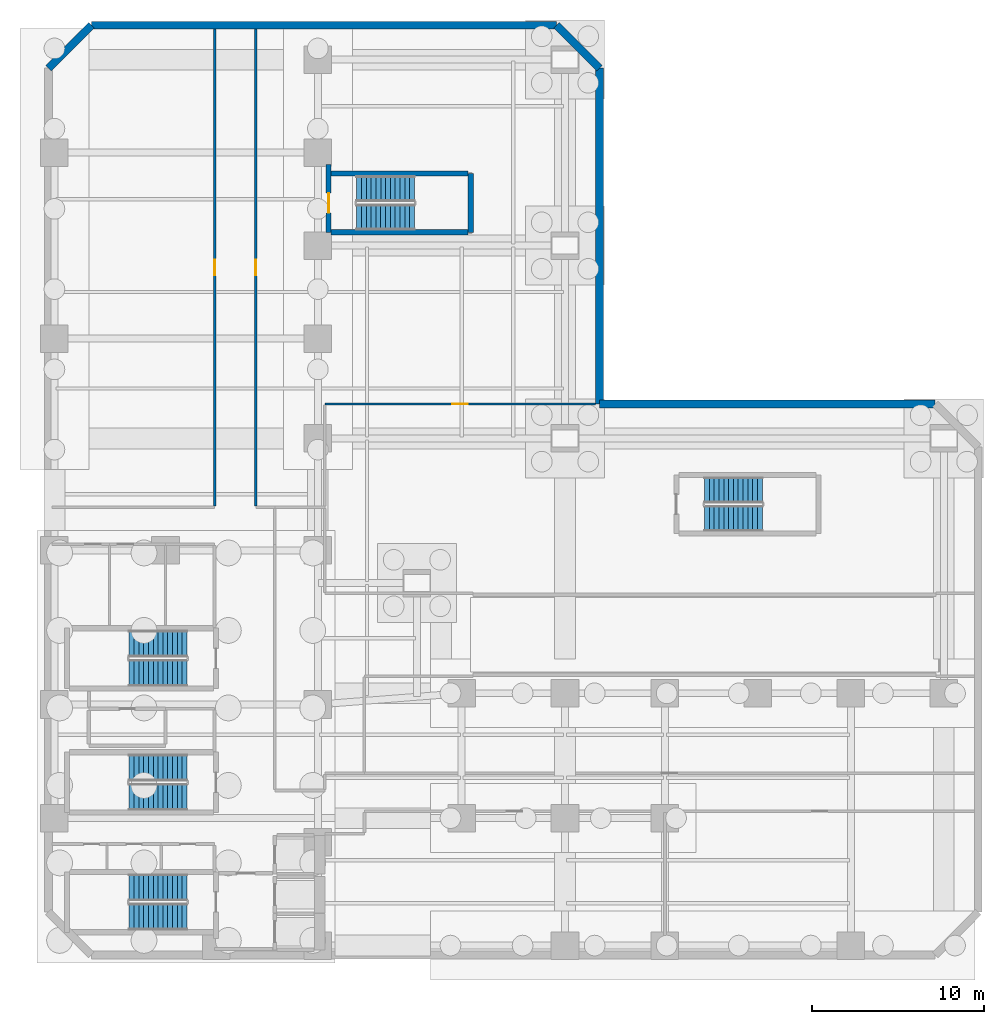
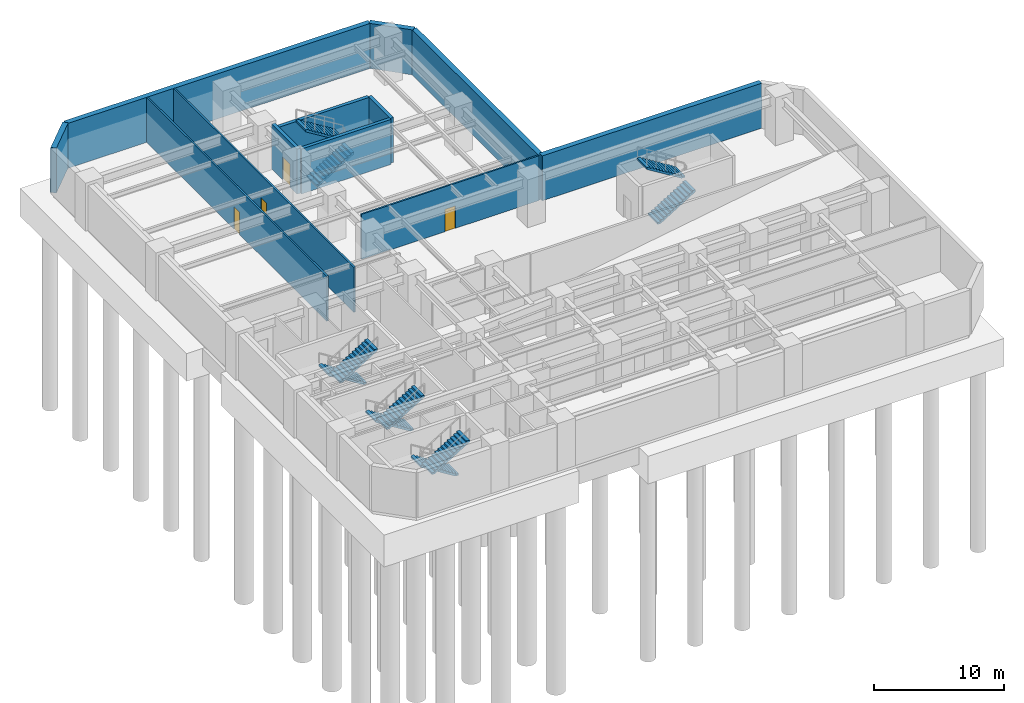
# One storey, part 5 of 10: 12 walls, 10 stair flights, 4 doors, 4 openings, 5 elements without a shape of their own.
"""IFC4 building model written with IfcOpenShell, lengths in metres."""

from ifc_helpers import new_model, si_unit, direction, frame, frame_2d, origin, place, context, subcontext, project, spatial, polyline, rectangle, outline, extrude, material, layer, layer_set, type_object, element, fill, aggregate, save


model = new_model("IFC4")

# Units and contexts
model_context = context("Model", 3, precision=1e-05, world=origin(), true_north=direction((0.0, 1.0)))
body_context = subcontext(model_context, "Body", "Model", "MODEL_VIEW")
ifc_project = project(units=[si_unit("LENGTHUNIT", "METRE"), si_unit("AREAUNIT", "SQUARE_METRE"), si_unit("VOLUMEUNIT", "CUBIC_METRE"), si_unit("PLANEANGLEUNIT", "RADIAN"), si_unit("MASSUNIT", "GRAM", prefix="KILO")], contexts=[model_context])

# Site, building, storey
site_placement = place(None, origin())
site = spatial("IfcSite", under=ifc_project, at=site_placement, CompositionType="ELEMENT")
building_placement = place(site_placement, origin())
building = spatial("IfcBuilding", under=site, at=building_placement, Name="Mawjaban Terraces University", CompositionType="ELEMENT")
storey_placement = place(building_placement, frame((0.0, 0.0, -9.0)))
storey = spatial("IfcBuildingStorey", under=building, at=storey_placement, Name="B2", CompositionType="ELEMENT", Elevation=-9.0)

# Walls
ifc_material_1 = material(Name="Concrete C50/60", Category="concrete")
ifc_layer_1 = layer(ifc_material_1, 0.449951171875)
ifc_layer_set_1 = layer_set([ifc_layer_1], Name="Concrete C50/60")
wall_type_1 = type_object("IfcWallType", Name="BsmtRetainingWall_450", PredefinedType="USERDEFINED", material=ifc_layer_set_1)
for number, where, z_axis, x_axis, name in (
    (1, (73.5, 32.0, 0.0), (0.0, 0.0, 1.0), (-1.0, 0.0, 0.0), "B2 Perimeter Retaining Wall 5"),
    (2, (54.0, 32.0, 0.0), (0.0, 0.0, 1.0), (0.0, 1.0, 0.0), "B2 Perimeter Retaining Wall 6"),
):
    element("IfcWall", number, at=place(storey_placement, frame(where, z_axis=z_axis, x_axis=x_axis)), inside=storey, type_object=wall_type_1, Name=name, ObjectType="RETAININGWALL", PredefinedType="USERDEFINED", context=body_context, shape_type="SweptSolid", body=[
        extrude(rectangle(XDim=19.5, YDim=0.449951171875, at=frame_2d((9.75, 0.0))), origin(), (0.0, 0.0, 1.0), 4.219970703125),
    ])
wall_1_placement = place(storey_placement, frame((54.0, 51.5, 0.0), z_axis=(0.0, 0.0, 1.0), x_axis=(-0.707106781187, 0.707106781187, 0.0)))
element("IfcWall", 3, at=wall_1_placement, inside=storey, type_object=wall_type_1, Name="B2 Perimeter Retaining Wall 7", ObjectType="RETAININGWALL", PredefinedType="USERDEFINED", context=body_context, shape_type="SweptSolid", body=[
    extrude(rectangle(XDim=3.53564453125, YDim=0.449951171875, at=frame_2d((1.767822265625, 0.0))), origin(), (0.0, 0.0, 1.0), 4.219970703125),
])
wall_2_placement = place(storey_placement, frame((51.5, 54.0, 0.0), z_axis=(0.0, 0.0, 1.0), x_axis=(-1.0, 0.0, 0.0)))
element("IfcWall", 4, at=wall_2_placement, inside=storey, type_object=wall_type_1, Name="B2 Perimeter Retaining Wall 8", ObjectType="RETAININGWALL", PredefinedType="USERDEFINED", context=body_context, shape_type="SweptSolid", body=[
    extrude(rectangle(XDim=27.0, YDim=0.449951171875, at=frame_2d((13.5, 0.0))), origin(), (0.0, 0.0, 1.0), 4.219970703125),
])
wall_3_placement = place(storey_placement, frame((24.5, 54.0, 0.0), z_axis=(0.0, 0.0, 1.0), x_axis=(-0.707106781187, -0.707106781187, 0.0)))
element("IfcWall", 5, at=wall_3_placement, inside=storey, type_object=wall_type_1, Name="B2 Perimeter Retaining Wall 9", ObjectType="RETAININGWALL", PredefinedType="USERDEFINED", context=body_context, shape_type="SweptSolid", body=[
    extrude(rectangle(XDim=3.53564453125, YDim=0.449951171875, at=frame_2d((1.767822265625, 0.0))), origin(), (0.0, 0.0, 1.0), 4.219970703125),
])

# Wall, opening, door
ifc_material_2 = material(Name="Moisture-resistant gypsum board on steel stud", Category="steel")
ifc_layer_2 = layer(ifc_material_2, 0.14501953125)
ifc_layer_set_2 = layer_set([ifc_layer_2], Name="Moisture-resistant gypsum board on steel stud")
wall_type_2 = type_object("IfcWallType", Name="LabPartition_145", PredefinedType="PARTITIONING", material=ifc_layer_set_2)
wall_4_placement = place(storey_placement, frame((53.780029296875, 32.0, 0.0), z_axis=(0.0, 0.0, 1.0), x_axis=(-1.0, 0.0, 0.0)))
wall_4 = element("IfcWall", 6, at=wall_4_placement, inside=storey, type_object=wall_type_2, Name="B2 Greywater and Condensate Treatment Plant Partition 21", PredefinedType="PARTITIONING", context=body_context, shape_type="SweptSolid", body=[
    extrude(rectangle(XDim=15.72998046875, YDim=0.14501953125, at=frame_2d((7.864990234375, 0.0))), origin(), (0.0, 0.0, 1.0), 4.219970703125),
])
opening_1_placement = place(wall_4_placement, frame((7.4150390625, 0.0, 0.0)))
opening_1 = element("IfcOpeningElement", 7, at=opening_1_placement, cuts=wall_4, Name="Opening ID-090", PredefinedType="OPENING", context=body_context, shape_type="SweptSolid", body=[
    extrude(rectangle(XDim=0.89990234375, YDim=2.10009765625, at=frame_2d((0.449951171875, 1.050048828125))), frame((0.0, 0.08251953125, 0.0), z_axis=(0.0, -1.0, 0.0), x_axis=(1.0, 0.0, 0.0)), (0.0, 0.0, 1.0), 0.1650390625),
])
ifc_material_3 = material(Name="Powder-coated steel frame and solid acoustic timber leaf", Category="steel")
door_type_1 = type_object("IfcDoorType", Name="OfficeDoor_900x2100", OperationType="NOTDEFINED", PredefinedType="DOOR", material=ifc_material_3)
door_1_placement = place(opening_1_placement, origin())
door_1 = element("IfcDoor", 8, at=door_1_placement, inside=storey, type_object=door_type_1, Name="B2 Greywater and Condensate Treatment Plant Door", OperationType="SINGLE_SWING_LEFT", OverallHeight=2.10009765625, OverallWidth=0.89990234375, PredefinedType="DOOR", context=body_context, shape_type="SweptSolid", body=[
    extrude(rectangle(XDim=0.89990234375, YDim=2.10009765625, at=frame_2d((0.449951171875, 1.050048828125))), frame((0.0, 0.02490234375, 0.0), z_axis=(0.0, -1.0, 0.0), x_axis=(1.0, 0.0, 0.0)), (0.0, 0.0, 1.0), 0.050048828125),
])
fill(opening_1, door_1)

wall_5_placement = place(storey_placement, frame((31.64990234375, 53.780029296875, 0.0), z_axis=(0.0, 0.0, 1.0), x_axis=(0.0, -1.0, 0.0)))
wall_5 = element("IfcWall", 9, at=wall_5_placement, inside=storey, type_object=wall_type_2, Name="B2 Basement Plant Corridor North Partition 36", PredefinedType="PARTITIONING", context=body_context, shape_type="SweptSolid", body=[
    extrude(rectangle(XDim=27.705078125, YDim=0.14501953125, at=frame_2d((13.8525390625, 0.0))), origin(), (0.0, 0.0, 1.0), 4.219970703125),
])
opening_2_placement = place(wall_5_placement, frame((13.403076171875, 0.0, 0.0)))
opening_2 = element("IfcOpeningElement", 10, at=opening_2_placement, cuts=wall_5, Name="Opening ID-090", PredefinedType="OPENING", context=body_context, shape_type="SweptSolid", body=[
    extrude(rectangle(XDim=0.89990234375, YDim=2.10009765625, at=frame_2d((0.449951171875, 1.050048828125))), frame((0.0, 0.08251953125, 0.0), z_axis=(0.0, -1.0, 0.0), x_axis=(1.0, 0.0, 0.0)), (0.0, 0.0, 1.0), 0.1650390625),
])
door_2_placement = place(opening_2_placement, origin())
door_2 = element("IfcDoor", 11, at=door_2_placement, inside=storey, type_object=door_type_1, Name="B2 University Central Archive Vault 1 Door", OperationType="SINGLE_SWING_LEFT", OverallHeight=2.10009765625, OverallWidth=0.89990234375, PredefinedType="DOOR", context=body_context, shape_type="SweptSolid", body=[
    extrude(rectangle(XDim=0.89990234375, YDim=2.10009765625, at=frame_2d((0.449951171875, 1.050048828125))), frame((0.0, 0.02490234375, 0.0), z_axis=(0.0, -1.0, 0.0), x_axis=(1.0, 0.0, 0.0)), (0.0, 0.0, 1.0), 0.050048828125),
])
fill(opening_2, door_2)

wall_6_placement = place(storey_placement, frame((34.050048828125, 26.074951171875, 0.0), z_axis=(0.0, 0.0, 1.0), x_axis=(0.0, 1.0, 0.0)))
wall_6 = element("IfcWall", 12, at=wall_6_placement, inside=storey, type_object=wall_type_2, Name="B2 Basement Plant Corridor North Partition 37", PredefinedType="PARTITIONING", context=body_context, shape_type="SweptSolid", body=[
    extrude(rectangle(XDim=27.705078125, YDim=0.14501953125, at=frame_2d((13.8525390625, 0.0))), origin(), (0.0, 0.0, 1.0), 4.219970703125),
])
opening_3_placement = place(wall_6_placement, frame((13.403076171875, 0.0, 0.0)))
opening_3 = element("IfcOpeningElement", 13, at=opening_3_placement, cuts=wall_6, Name="Opening ID-090", PredefinedType="OPENING", context=body_context, shape_type="SweptSolid", body=[
    extrude(rectangle(XDim=0.89990234375, YDim=2.10009765625, at=frame_2d((0.449951171875, 1.050048828125))), frame((0.0, 0.08251953125, 0.0), z_axis=(0.0, -1.0, 0.0), x_axis=(1.0, 0.0, 0.0)), (0.0, 0.0, 1.0), 0.1650390625),
])
door_3_placement = place(opening_3_placement, origin())
door_3 = element("IfcDoor", 14, at=door_3_placement, inside=storey, type_object=door_type_1, Name="B2 University Central Archive Vault 2 Door", OperationType="SINGLE_SWING_RIGHT", OverallHeight=2.10009765625, OverallWidth=0.89990234375, PredefinedType="DOOR", context=body_context, shape_type="SweptSolid", body=[
    extrude(rectangle(XDim=0.89990234375, YDim=2.10009765625, at=frame_2d((0.449951171875, 1.050048828125))), frame((0.0, 0.02490234375, 0.0), z_axis=(0.0, -1.0, 0.0), x_axis=(1.0, 0.0, 0.0)), (0.0, 0.0, 1.0), 0.050048828125),
])
fill(opening_3, door_3)

# Walls
ifc_material_4 = material(Name="Concrete C60/75", Category="concrete")
ifc_layer_3 = layer(ifc_material_4, 0.300048828125)
ifc_layer_set_3 = layer_set([ifc_layer_3], Name="Concrete C60/75")
wall_type_3 = type_object("IfcWallType", Name="StairShaftWall_300", PredefinedType="SHEAR", material=ifc_layer_set_3)
wall_7_placement = place(storey_placement, frame((38.419921875, 41.969970703125, 0.0), z_axis=(0.0, 0.0, 1.0), x_axis=(1.0, 0.0, 0.0)))
element("IfcWall", 15, at=wall_7_placement, inside=storey, type_object=wall_type_3, Name="B2 ST-4 Stair Shaft Wall 1", PredefinedType="SHEAR", context=body_context, shape_type="SweptSolid", body=[
    extrude(rectangle(XDim=7.9599609375, YDim=0.300048828125, at=frame_2d((3.97998046875, 0.0))), origin(), (0.0, 0.0, 1.0), 4.219970703125),
])
wall_8_placement = place(storey_placement, frame((46.530029296875, 41.969970703125, 0.0), z_axis=(0.0, 0.0, 1.0), x_axis=(0.0, 1.0, 0.0)))
element("IfcWall", 16, at=wall_8_placement, inside=storey, type_object=wall_type_3, Name="B2 ST-4 Stair Shaft Wall 2", PredefinedType="SHEAR", context=body_context, shape_type="SweptSolid", body=[
    extrude(rectangle(XDim=3.409912109375, YDim=0.300048828125, at=frame_2d((1.705078125, 0.0))), origin(), (0.0, 0.0, 1.0), 4.219970703125),
])
wall_9_placement = place(storey_placement, frame((46.3798828125, 45.3798828125, 0.0), z_axis=(0.0, 0.0, 1.0), x_axis=(-1.0, 0.0, 0.0)))
element("IfcWall", 17, at=wall_9_placement, inside=storey, type_object=wall_type_3, Name="B2 ST-4 Stair Shaft Wall 3", PredefinedType="SHEAR", context=body_context, shape_type="SweptSolid", body=[
    extrude(rectangle(XDim=7.9599609375, YDim=0.300048828125, at=frame_2d((3.97998046875, 0.0))), origin(), (0.0, 0.0, 1.0), 4.219970703125),
])

# Wall, opening, door
wall_10_placement = place(storey_placement, frame((38.27001953125, 45.919921875, 0.0), z_axis=(0.0, 0.0, 1.0), x_axis=(0.0, -1.0, 0.0)))
wall_10 = element("IfcWall", 18, at=wall_10_placement, inside=storey, type_object=wall_type_3, Name="B2 ST-4 Stair Shaft Wall 4", PredefinedType="SHEAR", context=body_context, shape_type="SweptSolid", body=[
    extrude(rectangle(XDim=3.949951171875, YDim=0.300048828125, at=frame_2d((1.97509765625, 0.0))), origin(), (0.0, 0.0, 1.0), 4.219970703125),
])
opening_4_placement = place(wall_10_placement, frame((1.669921875, 0.0, 0.0)))
opening_4 = element("IfcOpeningElement", 19, at=opening_4_placement, cuts=wall_10, Name="Opening FD-115", PredefinedType="OPENING", context=body_context, shape_type="SweptSolid", body=[
    extrude(rectangle(XDim=1.14990234375, YDim=2.14990234375, at=frame_2d((0.574951171875, 1.074951171875))), frame((0.0, 0.159912109375, 0.0), z_axis=(0.0, -1.0, 0.0), x_axis=(1.0, 0.0, 0.0)), (0.0, 0.0, 1.0), 0.320068359375),
])
ifc_material_5 = material(Name="Powder-coated steel frame and fire-rated steel-faced leaf", Category="steel")
door_type_2 = type_object("IfcDoorType", Name="FireStairDoor_1150x2150", OperationType="NOTDEFINED", PredefinedType="DOOR", material=ifc_material_5)
door_4_placement = place(opening_4_placement, origin())
door_4 = element("IfcDoor", 20, at=door_4_placement, inside=storey, type_object=door_type_2, Name="B2 ST-4 Pressurised Stair Fire Door", OperationType="SINGLE_SWING_LEFT", OverallHeight=2.14990234375, OverallWidth=1.14990234375, PredefinedType="DOOR", context=body_context, shape_type="SweptSolid", body=[
    extrude(rectangle(XDim=1.14990234375, YDim=2.14990234375, at=frame_2d((0.574951171875, 1.074951171875))), frame((0.0, 0.02490234375, 0.0), z_axis=(0.0, -1.0, 0.0), x_axis=(1.0, 0.0, 0.0)), (0.0, 0.0, 1.0), 0.050048828125),
])
fill(opening_4, door_4)

# Stair, stair flights
ifc_material_6 = material(Name="Concrete C40/50", Category="concrete")
stair_type_1 = type_object("IfcStairType", Name="Stair_Core1550_H45", PredefinedType="HALF_TURN_STAIR", material=ifc_material_6)
stair_1_placement = place(storey_placement, origin())
stair_1 = element("IfcStair", 21, at=stair_1_placement, inside=storey, type_object=stair_type_1, Name="B2 Core Exit Stair 1", PredefinedType="HALF_TURN_STAIR")
stair_flight_type_1 = type_object("IfcStairFlightType", Name="Flight_Core1550_H45", PredefinedType="STRAIGHT", material=ifc_material_6)
stair_flight_1_placement = place(storey_placement, frame((30.050048828125, 3.925048828125, 0.0), z_axis=(0.0, 0.0, 1.0), x_axis=(-1.0, 0.0, 0.0)))
stair_flight_1 = element("IfcStairFlight", 22, at=stair_flight_1_placement, type_object=stair_flight_type_1, Name="ST-1 flight 1", NumberOfRisers=13, NumberOfTreads=12, PredefinedType="STRAIGHT", RiserHeight=0.173076923, TreadLength=0.28, context=body_context, shape_type="SweptSolid", body=[
    extrude(outline(polyline([(0.0, 0.0), (0.0, 0.173095703125), (0.280029296875, 0.173095703125), (0.280029296875, 0.34619140625), (0.56005859375, 0.34619140625), (0.56005859375, 0.519287109375), (0.840087890625, 0.519287109375), (0.840087890625, 0.6923828125), (1.1201171875, 0.6923828125), (1.1201171875, 0.865478515625), (1.39990234375, 0.865478515625), (1.39990234375, 1.03857421875), (1.679931640625, 1.03857421875), (1.679931640625, 1.21142578125), (1.9599609375, 1.21142578125), (1.9599609375, 1.384521484375), (2.239990234375, 1.384521484375), (2.239990234375, 1.5576171875), (2.52001953125, 1.5576171875), (2.52001953125, 1.730712890625), (2.800048828125, 1.730712890625), (2.800048828125, 1.90380859375), (3.080078125, 1.90380859375), (3.080078125, 2.076904296875), (3.360107421875, 2.076904296875), (3.360107421875, 2.25), (3.360107421875, 1.900634765625), (0.28515625, 0.0), (0.0, 0.0)])), frame((0.0, 0.77490234375, 0.0), z_axis=(0.0, -1.0, 0.0), x_axis=(1.0, 0.0, 0.0)), (0.0, 0.0, 1.0), 1.550048828125),
])
stair_flight_2_placement = place(storey_placement, frame((26.68994140625, 2.22509765625, 2.25), z_axis=(0.0, 0.0, 1.0), x_axis=(1.0, 0.0, 0.0)))
stair_flight_2 = element("IfcStairFlight", 23, at=stair_flight_2_placement, type_object=stair_flight_type_1, Name="ST-1 flight 2", NumberOfRisers=13, NumberOfTreads=12, PredefinedType="STRAIGHT", RiserHeight=0.173076923, TreadLength=0.28, context=body_context, shape_type="SweptSolid", body=[
    extrude(outline(polyline([(0.0, 0.0), (0.0, 0.173095703125), (0.280029296875, 0.173095703125), (0.280029296875, 0.34619140625), (0.56005859375, 0.34619140625), (0.56005859375, 0.519287109375), (0.840087890625, 0.519287109375), (0.840087890625, 0.6923828125), (1.1201171875, 0.6923828125), (1.1201171875, 0.865478515625), (1.39990234375, 0.865478515625), (1.39990234375, 1.03857421875), (1.679931640625, 1.03857421875), (1.679931640625, 1.21142578125), (1.9599609375, 1.21142578125), (1.9599609375, 1.384521484375), (2.239990234375, 1.384521484375), (2.239990234375, 1.5576171875), (2.52001953125, 1.5576171875), (2.52001953125, 1.730712890625), (2.800048828125, 1.730712890625), (2.800048828125, 1.90380859375), (3.080078125, 1.90380859375), (3.080078125, 2.076904296875), (3.360107421875, 2.076904296875), (3.360107421875, 2.25), (3.360107421875, 1.900634765625), (0.28515625, 0.0), (0.0, 0.0)])), frame((0.0, 0.77490234375, 0.0), z_axis=(0.0, -1.0, 0.0), x_axis=(1.0, 0.0, 0.0)), (0.0, 0.0, 1.0), 1.550048828125),
])
aggregate(stair_1, [stair_flight_1, stair_flight_2])

stair_2_placement = place(storey_placement, origin())
stair_2 = element("IfcStair", 24, at=stair_2_placement, inside=storey, type_object=stair_type_1, Name="B2 Core Exit Stair 2", PredefinedType="HALF_TURN_STAIR")
stair_flight_3_placement = place(storey_placement, frame((30.050048828125, 18.074951171875, 0.0), z_axis=(0.0, 0.0, 1.0), x_axis=(-1.0, 0.0, 0.0)))
stair_flight_3 = element("IfcStairFlight", 25, at=stair_flight_3_placement, type_object=stair_flight_type_1, Name="ST-2 flight 1", NumberOfRisers=13, NumberOfTreads=12, PredefinedType="STRAIGHT", RiserHeight=0.173076923, TreadLength=0.28, context=body_context, shape_type="SweptSolid", body=[
    extrude(outline(polyline([(0.0, 0.0), (0.0, 0.173095703125), (0.280029296875, 0.173095703125), (0.280029296875, 0.34619140625), (0.56005859375, 0.34619140625), (0.56005859375, 0.519287109375), (0.840087890625, 0.519287109375), (0.840087890625, 0.6923828125), (1.1201171875, 0.6923828125), (1.1201171875, 0.865478515625), (1.39990234375, 0.865478515625), (1.39990234375, 1.03857421875), (1.679931640625, 1.03857421875), (1.679931640625, 1.21142578125), (1.9599609375, 1.21142578125), (1.9599609375, 1.384521484375), (2.239990234375, 1.384521484375), (2.239990234375, 1.5576171875), (2.52001953125, 1.5576171875), (2.52001953125, 1.730712890625), (2.800048828125, 1.730712890625), (2.800048828125, 1.90380859375), (3.080078125, 1.90380859375), (3.080078125, 2.076904296875), (3.360107421875, 2.076904296875), (3.360107421875, 2.25), (3.360107421875, 1.900634765625), (0.28515625, 0.0), (0.0, 0.0)])), frame((0.0, 0.77490234375, 0.0), z_axis=(0.0, -1.0, 0.0), x_axis=(1.0, 0.0, 0.0)), (0.0, 0.0, 1.0), 1.550048828125),
])
stair_flight_4_placement = place(storey_placement, frame((26.68994140625, 16.375, 2.25), z_axis=(0.0, 0.0, 1.0), x_axis=(1.0, 0.0, 0.0)))
stair_flight_4 = element("IfcStairFlight", 26, at=stair_flight_4_placement, type_object=stair_flight_type_1, Name="ST-2 flight 2", NumberOfRisers=13, NumberOfTreads=12, PredefinedType="STRAIGHT", RiserHeight=0.173076923, TreadLength=0.28, context=body_context, shape_type="SweptSolid", body=[
    extrude(outline(polyline([(0.0, 0.0), (0.0, 0.173095703125), (0.280029296875, 0.173095703125), (0.280029296875, 0.34619140625), (0.56005859375, 0.34619140625), (0.56005859375, 0.519287109375), (0.840087890625, 0.519287109375), (0.840087890625, 0.6923828125), (1.1201171875, 0.6923828125), (1.1201171875, 0.865478515625), (1.39990234375, 0.865478515625), (1.39990234375, 1.03857421875), (1.679931640625, 1.03857421875), (1.679931640625, 1.21142578125), (1.9599609375, 1.21142578125), (1.9599609375, 1.384521484375), (2.239990234375, 1.384521484375), (2.239990234375, 1.5576171875), (2.52001953125, 1.5576171875), (2.52001953125, 1.730712890625), (2.800048828125, 1.730712890625), (2.800048828125, 1.90380859375), (3.080078125, 1.90380859375), (3.080078125, 2.076904296875), (3.360107421875, 2.076904296875), (3.360107421875, 2.25), (3.360107421875, 1.900634765625), (0.28515625, 0.0), (0.0, 0.0)])), frame((0.0, 0.77490234375, 0.0), z_axis=(0.0, -1.0, 0.0), x_axis=(1.0, 0.0, 0.0)), (0.0, 0.0, 1.0), 1.550048828125),
])
aggregate(stair_2, [stair_flight_3, stair_flight_4])

stair_3_placement = place(storey_placement, origin())
stair_3 = element("IfcStair", 27, at=stair_3_placement, inside=storey, type_object=stair_type_1, Name="B2 Core Exit Stair 3", PredefinedType="HALF_TURN_STAIR")
stair_flight_5_placement = place(storey_placement, frame((30.050048828125, 10.875, 0.0), z_axis=(0.0, 0.0, 1.0), x_axis=(-1.0, 0.0, 0.0)))
stair_flight_5 = element("IfcStairFlight", 28, at=stair_flight_5_placement, type_object=stair_flight_type_1, Name="ST-3 flight 1", NumberOfRisers=13, NumberOfTreads=12, PredefinedType="STRAIGHT", RiserHeight=0.173076923, TreadLength=0.28, context=body_context, shape_type="SweptSolid", body=[
    extrude(outline(polyline([(0.0, 0.0), (0.0, 0.173095703125), (0.280029296875, 0.173095703125), (0.280029296875, 0.34619140625), (0.56005859375, 0.34619140625), (0.56005859375, 0.519287109375), (0.840087890625, 0.519287109375), (0.840087890625, 0.6923828125), (1.1201171875, 0.6923828125), (1.1201171875, 0.865478515625), (1.39990234375, 0.865478515625), (1.39990234375, 1.03857421875), (1.679931640625, 1.03857421875), (1.679931640625, 1.21142578125), (1.9599609375, 1.21142578125), (1.9599609375, 1.384521484375), (2.239990234375, 1.384521484375), (2.239990234375, 1.5576171875), (2.52001953125, 1.5576171875), (2.52001953125, 1.730712890625), (2.800048828125, 1.730712890625), (2.800048828125, 1.90380859375), (3.080078125, 1.90380859375), (3.080078125, 2.076904296875), (3.360107421875, 2.076904296875), (3.360107421875, 2.25), (3.360107421875, 1.900634765625), (0.28515625, 0.0), (0.0, 0.0)])), frame((0.0, 0.77490234375, 0.0), z_axis=(0.0, -1.0, 0.0), x_axis=(1.0, 0.0, 0.0)), (0.0, 0.0, 1.0), 1.550048828125),
])
stair_flight_6_placement = place(storey_placement, frame((26.68994140625, 9.175048828125, 2.25), z_axis=(0.0, 0.0, 1.0), x_axis=(1.0, 0.0, 0.0)))
stair_flight_6 = element("IfcStairFlight", 29, at=stair_flight_6_placement, type_object=stair_flight_type_1, Name="ST-3 flight 2", NumberOfRisers=13, NumberOfTreads=12, PredefinedType="STRAIGHT", RiserHeight=0.173076923, TreadLength=0.28, context=body_context, shape_type="SweptSolid", body=[
    extrude(outline(polyline([(0.0, 0.0), (0.0, 0.173095703125), (0.280029296875, 0.173095703125), (0.280029296875, 0.34619140625), (0.56005859375, 0.34619140625), (0.56005859375, 0.519287109375), (0.840087890625, 0.519287109375), (0.840087890625, 0.6923828125), (1.1201171875, 0.6923828125), (1.1201171875, 0.865478515625), (1.39990234375, 0.865478515625), (1.39990234375, 1.03857421875), (1.679931640625, 1.03857421875), (1.679931640625, 1.21142578125), (1.9599609375, 1.21142578125), (1.9599609375, 1.384521484375), (2.239990234375, 1.384521484375), (2.239990234375, 1.5576171875), (2.52001953125, 1.5576171875), (2.52001953125, 1.730712890625), (2.800048828125, 1.730712890625), (2.800048828125, 1.90380859375), (3.080078125, 1.90380859375), (3.080078125, 2.076904296875), (3.360107421875, 2.076904296875), (3.360107421875, 2.25), (3.360107421875, 1.900634765625), (0.28515625, 0.0), (0.0, 0.0)])), frame((0.0, 0.77490234375, 0.0), z_axis=(0.0, -1.0, 0.0), x_axis=(1.0, 0.0, 0.0)), (0.0, 0.0, 1.0), 1.550048828125),
])
aggregate(stair_3, [stair_flight_5, stair_flight_6])

stair_type_2 = type_object("IfcStairType", Name="Stair_Pod1500_H45", PredefinedType="HALF_TURN_STAIR", material=ifc_material_6)
stair_4_placement = place(storey_placement, origin())
stair_4 = element("IfcStair", 30, at=stair_4_placement, inside=storey, type_object=stair_type_2, Name="B2 Podium North Exit Stair 4", PredefinedType="HALF_TURN_STAIR")
stair_flight_type_2 = type_object("IfcStairFlightType", Name="Flight_Pod1500_H45", PredefinedType="STRAIGHT", material=ifc_material_6)
stair_flight_7_placement = place(storey_placement, frame((39.89990234375, 42.85009765625, 0.0), z_axis=(0.0, 0.0, 1.0), x_axis=(1.0, 0.0, 0.0)))
stair_flight_7 = element("IfcStairFlight", 31, at=stair_flight_7_placement, type_object=stair_flight_type_2, Name="ST-4 flight 1", NumberOfRisers=13, NumberOfTreads=12, PredefinedType="STRAIGHT", RiserHeight=0.173076923, TreadLength=0.28, context=body_context, shape_type="SweptSolid", body=[
    extrude(outline(polyline([(0.0, 0.0), (0.0, 0.173095703125), (0.280029296875, 0.173095703125), (0.280029296875, 0.34619140625), (0.56005859375, 0.34619140625), (0.56005859375, 0.519287109375), (0.840087890625, 0.519287109375), (0.840087890625, 0.6923828125), (1.1201171875, 0.6923828125), (1.1201171875, 0.865478515625), (1.39990234375, 0.865478515625), (1.39990234375, 1.03857421875), (1.679931640625, 1.03857421875), (1.679931640625, 1.21142578125), (1.9599609375, 1.21142578125), (1.9599609375, 1.384521484375), (2.239990234375, 1.384521484375), (2.239990234375, 1.5576171875), (2.52001953125, 1.5576171875), (2.52001953125, 1.730712890625), (2.800048828125, 1.730712890625), (2.800048828125, 1.90380859375), (3.080078125, 1.90380859375), (3.080078125, 2.076904296875), (3.360107421875, 2.076904296875), (3.360107421875, 2.25), (3.360107421875, 1.900634765625), (0.28515625, 0.0), (0.0, 0.0)])), frame((0.0, 0.75, 0.0), z_axis=(0.0, -1.0, 0.0), x_axis=(1.0, 0.0, 0.0)), (0.0, 0.0, 1.0), 1.5),
])
stair_flight_8_placement = place(storey_placement, frame((43.260009765625, 44.5, 2.25), z_axis=(0.0, 0.0, 1.0), x_axis=(-1.0, 0.0, 0.0)))
stair_flight_8 = element("IfcStairFlight", 32, at=stair_flight_8_placement, type_object=stair_flight_type_2, Name="ST-4 flight 2", NumberOfRisers=13, NumberOfTreads=12, PredefinedType="STRAIGHT", RiserHeight=0.173076923, TreadLength=0.28, context=body_context, shape_type="SweptSolid", body=[
    extrude(outline(polyline([(0.0, 0.0), (0.0, 0.173095703125), (0.280029296875, 0.173095703125), (0.280029296875, 0.34619140625), (0.56005859375, 0.34619140625), (0.56005859375, 0.519287109375), (0.840087890625, 0.519287109375), (0.840087890625, 0.6923828125), (1.1201171875, 0.6923828125), (1.1201171875, 0.865478515625), (1.39990234375, 0.865478515625), (1.39990234375, 1.03857421875), (1.679931640625, 1.03857421875), (1.679931640625, 1.21142578125), (1.9599609375, 1.21142578125), (1.9599609375, 1.384521484375), (2.239990234375, 1.384521484375), (2.239990234375, 1.5576171875), (2.52001953125, 1.5576171875), (2.52001953125, 1.730712890625), (2.800048828125, 1.730712890625), (2.800048828125, 1.90380859375), (3.080078125, 1.90380859375), (3.080078125, 2.076904296875), (3.360107421875, 2.076904296875), (3.360107421875, 2.25), (3.360107421875, 1.900634765625), (0.28515625, 0.0), (0.0, 0.0)])), frame((0.0, 0.75, 0.0), z_axis=(0.0, -1.0, 0.0), x_axis=(1.0, 0.0, 0.0)), (0.0, 0.0, 1.0), 1.5),
])
aggregate(stair_4, [stair_flight_7, stair_flight_8])

stair_5_placement = place(storey_placement, origin())
stair_5 = element("IfcStair", 33, at=stair_5_placement, inside=storey, type_object=stair_type_2, Name="B2 Podium East Exit Stair 5", PredefinedType="HALF_TURN_STAIR")
stair_flight_9_placement = place(storey_placement, frame((60.10009765625, 25.35009765625, 0.0), z_axis=(0.0, 0.0, 1.0), x_axis=(1.0, 0.0, 0.0)))
stair_flight_9 = element("IfcStairFlight", 34, at=stair_flight_9_placement, type_object=stair_flight_type_2, Name="ST-5 flight 1", NumberOfRisers=13, NumberOfTreads=12, PredefinedType="STRAIGHT", RiserHeight=0.173076923, TreadLength=0.28, context=body_context, shape_type="SweptSolid", body=[
    extrude(outline(polyline([(0.0, 0.0), (0.0, 0.173095703125), (0.280029296875, 0.173095703125), (0.280029296875, 0.34619140625), (0.56005859375, 0.34619140625), (0.56005859375, 0.519287109375), (0.840087890625, 0.519287109375), (0.840087890625, 0.6923828125), (1.1201171875, 0.6923828125), (1.1201171875, 0.865478515625), (1.39990234375, 0.865478515625), (1.39990234375, 1.03857421875), (1.679931640625, 1.03857421875), (1.679931640625, 1.21142578125), (1.9599609375, 1.21142578125), (1.9599609375, 1.384521484375), (2.239990234375, 1.384521484375), (2.239990234375, 1.5576171875), (2.52001953125, 1.5576171875), (2.52001953125, 1.730712890625), (2.800048828125, 1.730712890625), (2.800048828125, 1.90380859375), (3.080078125, 1.90380859375), (3.080078125, 2.076904296875), (3.360107421875, 2.076904296875), (3.360107421875, 2.25), (3.360107421875, 1.900634765625), (0.28515625, 0.0), (0.0, 0.0)])), frame((0.0, 0.75, 0.0), z_axis=(0.0, -1.0, 0.0), x_axis=(1.0, 0.0, 0.0)), (0.0, 0.0, 1.0), 1.5),
])
stair_flight_10_placement = place(storey_placement, frame((63.4599609375, 27.0, 2.25), z_axis=(0.0, 0.0, 1.0), x_axis=(-1.0, 0.0, 0.0)))
stair_flight_10 = element("IfcStairFlight", 35, at=stair_flight_10_placement, type_object=stair_flight_type_2, Name="ST-5 flight 2", NumberOfRisers=13, NumberOfTreads=12, PredefinedType="STRAIGHT", RiserHeight=0.173076923, TreadLength=0.28, context=body_context, shape_type="SweptSolid", body=[
    extrude(outline(polyline([(0.0, 0.0), (0.0, 0.173095703125), (0.280029296875, 0.173095703125), (0.280029296875, 0.34619140625), (0.56005859375, 0.34619140625), (0.56005859375, 0.519287109375), (0.840087890625, 0.519287109375), (0.840087890625, 0.6923828125), (1.1201171875, 0.6923828125), (1.1201171875, 0.865478515625), (1.39990234375, 0.865478515625), (1.39990234375, 1.03857421875), (1.679931640625, 1.03857421875), (1.679931640625, 1.21142578125), (1.9599609375, 1.21142578125), (1.9599609375, 1.384521484375), (2.239990234375, 1.384521484375), (2.239990234375, 1.5576171875), (2.52001953125, 1.5576171875), (2.52001953125, 1.730712890625), (2.800048828125, 1.730712890625), (2.800048828125, 1.90380859375), (3.080078125, 1.90380859375), (3.080078125, 2.076904296875), (3.360107421875, 2.076904296875), (3.360107421875, 2.25), (3.360107421875, 1.900634765625), (0.28515625, 0.0), (0.0, 0.0)])), frame((0.0, 0.75, 0.0), z_axis=(0.0, -1.0, 0.0), x_axis=(1.0, 0.0, 0.0)), (0.0, 0.0, 1.0), 1.5),
])
aggregate(stair_5, [stair_flight_9, stair_flight_10])

save(model, "model.ifc")
